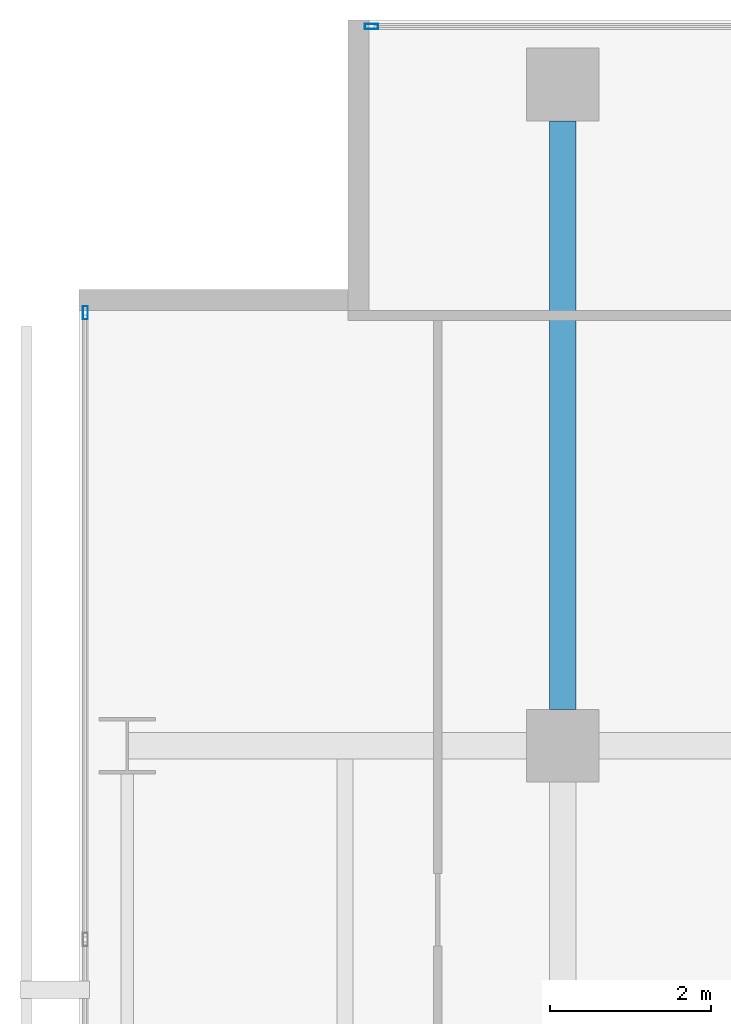
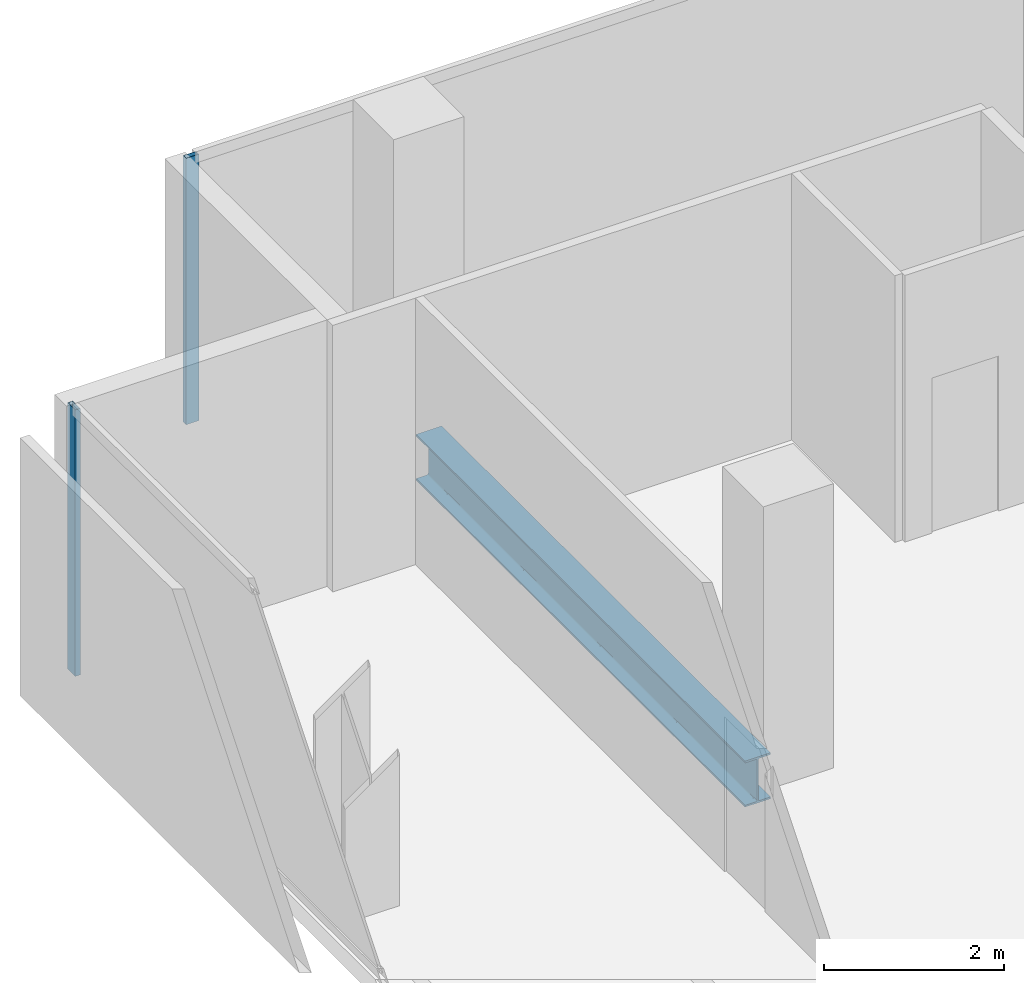
# One storey, part 25 of 40: 2 members, 1 beam, 2 elements without a shape of their own.
"""IFC4 building model written with IfcOpenShell, lengths in metres."""

from ifc_helpers import new_model, si_unit, direction, frame, origin, origin_2d, place, context, subcontext, project, spatial, hollow_rectangle, i_section, extrude, material, layer, layer_set, material_profile, profile_set, type_object, element, aggregate, save


model = new_model("IFC4")

# Units and contexts
model_context = context("Model", 3, precision=1e-05, world=origin(), true_north=direction((0.0, 1.0)))
body_context = subcontext(model_context, "Body", "Model", "MODEL_VIEW")
ifc_project = project(units=[si_unit("LENGTHUNIT", "METRE"), si_unit("AREAUNIT", "SQUARE_METRE"), si_unit("VOLUMEUNIT", "CUBIC_METRE"), si_unit("PLANEANGLEUNIT", "RADIAN"), si_unit("MASSUNIT", "GRAM", prefix="KILO")], contexts=[model_context])

# Site, building, storey
site_placement = place(None, origin())
site = spatial("IfcSite", under=ifc_project, at=site_placement, CompositionType="ELEMENT")
building_placement = place(site_placement, origin())
building = spatial("IfcBuilding", under=site, at=building_placement, Name="Maruvema Waterfront Hotel and Observation Tower", CompositionType="ELEMENT")
storey_placement = place(building_placement, frame((0.0, 0.0, 73.14990234375)))
storey = spatial("IfcBuildingStorey", under=building, at=storey_placement, Name="L17", CompositionType="ELEMENT", Elevation=73.14990234375)

# Curtain wall, member
ifc_material_1 = material(Name="Anodised bronze aluminium and solar-control low-E IGU", Category="aluminium")
ifc_layer = layer(ifc_material_1, 0.159912109375, Name="Zone 1 Bronze Inner Thermal Curtain Wall System CW-02")
ifc_layer_set = layer_set([ifc_layer], Name="Anodised bronze aluminium and solar-control low-E IGU")
curtain_wall_type = type_object("IfcCurtainWallType", Name="Zone 1 Bronze Inner Thermal Curtain Wall System CW-02", PredefinedType="USERDEFINED", material=ifc_layer_set)
curtain_wall_1_placement = place(storey_placement, origin())
curtain_wall_1 = element("IfcCurtainWall", 1, at=curtain_wall_1_placement, inside=storey, type_object=curtain_wall_type, Name="L17 Curtain Wall CW-L17-W", ObjectType="UNITISED CURTAIN WALL", PredefinedType="USERDEFINED")
ifc_material_2 = material(Name="Anodised architectural bronze aluminium", Category="aluminium")
ifc_material_profile_1 = material_profile(ifc_material_2, hollow_rectangle(XDim=0.06494140625, YDim=0.1650390625, WallThickness=0.00390625, at=origin_2d()), Name="ALU-M65x165")
ifc_profile_set_1 = profile_set([ifc_material_profile_1], Name="Anodised architectural bronze aluminium")
member_type = type_object("IfcMemberType", Name="Curtain Wall Primary Mullion ALU-M65x165", PredefinedType="MULLION", material=ifc_profile_set_1)
member_1_placement = place(storey_placement, frame((10.8798828125, 50.3701171875, 0.0), z_axis=(0.0, 0.0, 1.0), x_axis=(1.0, 0.0, 0.0)))
member_1 = element("IfcMember", 2, at=member_1_placement, type_object=member_type, Name="CW-02 mullion 1", PredefinedType="MULLION", context=body_context, shape_type="SweptSolid", body=[
    extrude(hollow_rectangle(XDim=0.06494140625, YDim=0.1650390625, WallThickness=0.00390625, at=origin_2d()), origin(), (0.0, 0.0, 1.0), 3.610107421875),
])
aggregate(curtain_wall_1, [member_1])

curtain_wall_2_placement = place(storey_placement, origin())
curtain_wall_2 = element("IfcCurtainWall", 3, at=curtain_wall_2_placement, inside=storey, type_object=curtain_wall_type, Name="L17 Curtain Wall CW-L17-NW", ObjectType="UNITISED CURTAIN WALL", PredefinedType="USERDEFINED")
member_2_placement = place(storey_placement, frame((14.429931640625, 53.919921875, 0.0), z_axis=(0.0, 0.0, 1.0), x_axis=(0.0, -1.0, 0.0)))
member_2 = element("IfcMember", 4, at=member_2_placement, type_object=member_type, Name="CW-02 mullion 2", PredefinedType="MULLION", context=body_context, shape_type="SweptSolid", body=[
    extrude(hollow_rectangle(XDim=0.06494140625, YDim=0.1650390625, WallThickness=0.00390625, at=origin_2d()), origin(), (0.0, 0.0, 1.0), 3.610107421875),
])
aggregate(curtain_wall_2, [member_2])

# Beam
ifc_material_3 = material(Name="Steel ASTM A572 Grade 50", Category="steel")
ifc_material_profile_2 = material_profile(ifc_material_3, i_section(OverallWidth=0.326904296875, OverallDepth=0.6220703125, WebThickness=0.015380859375, FlangeThickness=0.0244140625, FilletRadius=0.01806640625, at=origin_2d()), Name="W610x195.0")
ifc_profile_set_2 = profile_set([ifc_material_profile_2], Name="Steel ASTM A572 Grade 50")
beam_type = type_object("IfcBeamType", Name="Primary Floor Girder W610x195.0", PredefinedType="BEAM", material=ifc_profile_set_2)
beam_placement = place(storey_placement, frame((16.800048828125, 45.449951171875, -0.55078125), z_axis=(0.0, 1.0, 0.0), x_axis=(-1.0, 0.0, 0.0)))
element("IfcBeam", 5, at=beam_placement, inside=storey, type_object=beam_type, Name="L17 Floor Girder NS-10", PredefinedType="BEAM", context=body_context, shape_type="SweptSolid", body=[
    extrude(i_section(OverallWidth=0.326904296875, OverallDepth=0.6220703125, WebThickness=0.015380859375, FlangeThickness=0.0244140625, FilletRadius=0.01806640625, at=origin_2d()), origin(), (0.0, 0.0, 1.0), 7.300048828125),
])

save(model, "model.ifc")
